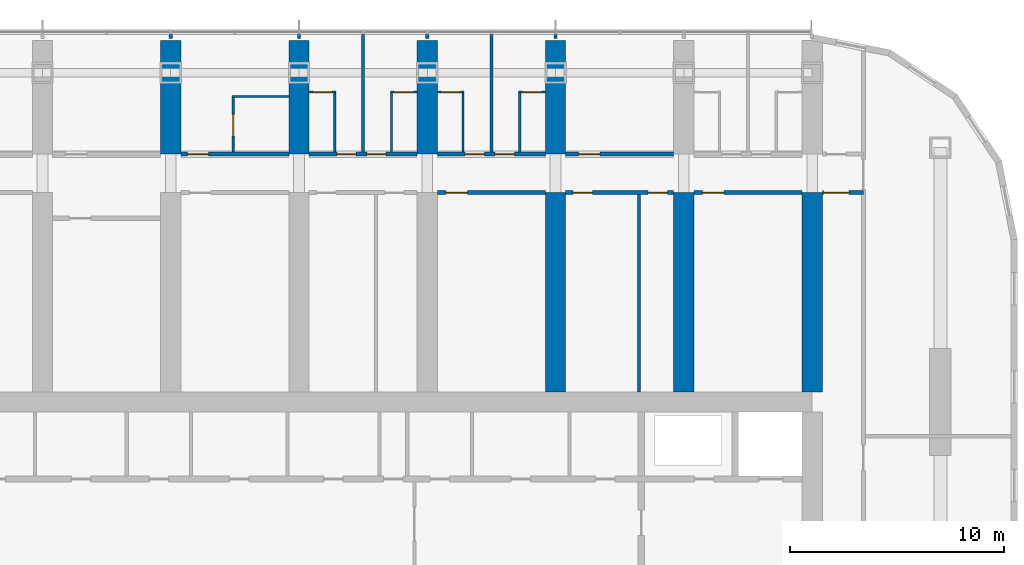
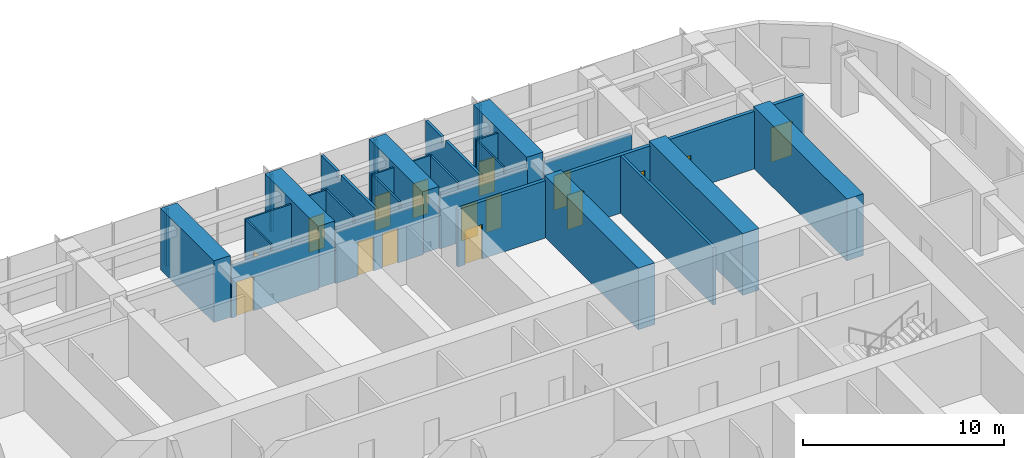
# One storey, part 14 of 21: 32 walls, 16 doors, 16 openings.
"""IFC4 building model written with IfcOpenShell, lengths in metres."""

from ifc_helpers import new_model, si_unit, direction, frame, frame_2d, origin, place, context, subcontext, project, spatial, polyline, rectangle, outline, extrude, material, layer, layer_set, type_object, element, fill, save


model = new_model("IFC4")

# Units and contexts
model_context = context("Model", 3, precision=1e-05, world=origin(), true_north=direction((0.0, 1.0)))
body_context = subcontext(model_context, "Body", "Model", "MODEL_VIEW")
ifc_project = project(units=[si_unit("LENGTHUNIT", "METRE"), si_unit("AREAUNIT", "SQUARE_METRE"), si_unit("VOLUMEUNIT", "CUBIC_METRE"), si_unit("PLANEANGLEUNIT", "RADIAN"), si_unit("MASSUNIT", "GRAM", prefix="KILO")], contexts=[model_context])

# Site, building, storey
site_placement = place(None, origin())
site = spatial("IfcSite", under=ifc_project, at=site_placement, CompositionType="ELEMENT")
building_placement = place(site_placement, origin())
building = spatial("IfcBuilding", under=site, at=building_placement, Name="Orbita Commons", CompositionType="ELEMENT")
storey_placement = place(building_placement, frame((0.0, 0.0, 103.14990234375)))
storey = spatial("IfcBuildingStorey", under=building, at=storey_placement, Name="L25", CompositionType="ELEMENT", Elevation=103.14990234375)

# Wall, opening, door
ifc_material_1 = material(Name="Concrete blockwork", Category="masonry")
ifc_layer_1 = layer(ifc_material_1, 0.199951171875)
ifc_layer_set_1 = layer_set([ifc_layer_1], Name="Concrete blockwork")
wall_type_1 = type_object("IfcWallType", Name="Corridor wall 200 blockwork", PredefinedType="SOLIDWALL", material=ifc_layer_set_1)
wall_1_placement = place(storey_placement, frame((36.47509765625, 49.800048828125, 0.0), z_axis=(0.0, 0.0, 1.0), x_axis=(1.0, 0.0, 0.0)))
wall_1 = element("IfcWall", 1, at=wall_1_placement, inside=storey, type_object=wall_type_1, Name="Corridor wall 200 blockwork L25", PredefinedType="SOLIDWALL", context=body_context, shape_type="SweptSolid", body=[
    extrude(outline(polyline([(0.0, 0.0), (5.0498046875, 0.0), (5.050048828125, 3.10009765625), (0.0, 3.10009765625), (0.0, 0.0)])), frame((0.0, 0.10009765625, 0.0), z_axis=(0.0, -1.0, 0.0), x_axis=(1.0, 0.0, 0.0)), (0.0, 0.0, 1.0), 0.199951171875),
])
opening_1_placement = place(wall_1_placement, frame((0.300048828125, 0.0, 0.0)))
opening_1 = element("IfcOpeningElement", 2, at=opening_1_placement, cuts=wall_1, Name="Opening D06", PredefinedType="OPENING", context=body_context, shape_type="SweptSolid", body=[
    extrude(rectangle(XDim=1.0, YDim=2.10009765625, at=frame_2d((0.5, 1.050048828125))), frame((0.0, 0.10986328125, 0.0), z_axis=(0.0, -1.0, 0.0), x_axis=(1.0, 0.0, 0.0)), (0.0, 0.0, 1.0), 0.219970703125),
])
ifc_material_2 = material(Name="Steel-faced fire door leaf", Category="steel")
door_type_1 = type_object("IfcDoorType", Name="Corridor door 20 min 1000x2100", OperationType="SINGLE_SWING_LEFT", PredefinedType="DOOR", material=ifc_material_2)
door_1_placement = place(opening_1_placement, origin())
door_1 = element("IfcDoor", 3, at=door_1_placement, inside=storey, type_object=door_type_1, Name="Accessible bedroom L25-N08 door", OperationType="SINGLE_SWING_LEFT", OverallHeight=2.10009765625, OverallWidth=1.0, PredefinedType="DOOR", context=body_context, shape_type="SweptSolid", body=[
    extrude(rectangle(XDim=1.0, YDim=2.10009765625, at=frame_2d((0.5, 1.050048828125))), frame((0.0, 0.02490234375, 0.0), z_axis=(0.0, -1.0, 0.0), x_axis=(1.0, 0.0, 0.0)), (0.0, 0.0, 1.0), 0.050048828125),
])
fill(opening_1, door_1)

# Wall, openings, doors
wall_2_placement = place(storey_placement, frame((42.47509765625, 49.800048828125, 0.0), z_axis=(0.0, 0.0, 1.0), x_axis=(1.0, 0.0, 0.0)))
wall_2 = element("IfcWall", 4, at=wall_2_placement, inside=storey, type_object=wall_type_1, Name="Corridor wall 200 blockwork L25", PredefinedType="SOLIDWALL", context=body_context, shape_type="SweptSolid", body=[
    extrude(outline(polyline([(0.0, 0.0), (5.0498046875, 0.0), (5.050048828125, 3.10009765625), (0.0, 3.10009765625), (0.0, 0.0)])), frame((0.0, 0.10009765625, 0.0), z_axis=(0.0, -1.0, 0.0), x_axis=(1.0, 0.0, 0.0)), (0.0, 0.0, 1.0), 0.199951171875),
])
opening_2_placement = place(wall_2_placement, frame((1.300048828125, 0.0, 0.0)))
opening_2 = element("IfcOpeningElement", 5, at=opening_2_placement, cuts=wall_2, Name="Opening D11", PredefinedType="OPENING", context=body_context, shape_type="SweptSolid", body=[
    extrude(rectangle(XDim=0.89990234375, YDim=2.10009765625, at=frame_2d((0.449951171875, 1.050048828125))), frame((0.0, 0.10986328125, 0.0), z_axis=(0.0, -1.0, 0.0), x_axis=(1.0, 0.0, 0.0)), (0.0, 0.0, 1.0), 0.219970703125),
])
opening_3_placement = place(wall_2_placement, frame((2.699951171875, 0.0, 0.0)))
opening_3 = element("IfcOpeningElement", 6, at=opening_3_placement, cuts=wall_2, Name="Opening D11", PredefinedType="OPENING", context=body_context, shape_type="SweptSolid", body=[
    extrude(rectangle(XDim=0.89990234375, YDim=2.10009765625, at=frame_2d((0.449951171875, 1.050048828125))), frame((0.0, 0.10986328125, 0.0), z_axis=(0.0, -1.0, 0.0), x_axis=(1.0, 0.0, 0.0)), (0.0, 0.0, 1.0), 0.219970703125),
])
ifc_material_3 = material(Name="Steel-faced fire door leaf", Category="steel")
door_type_2 = type_object("IfcDoorType", Name="Corridor door 20 min 900x2100", OperationType="SINGLE_SWING_LEFT", PredefinedType="DOOR", material=ifc_material_3)
door_2_placement = place(opening_2_placement, origin())
door_2 = element("IfcDoor", 7, at=door_2_placement, inside=storey, type_object=door_type_2, Name="Cluster bedroom L25-N10 door", OperationType="SINGLE_SWING_LEFT", OverallHeight=2.10009765625, OverallWidth=0.89990234375, PredefinedType="DOOR", context=body_context, shape_type="SweptSolid", body=[
    extrude(rectangle(XDim=0.89990234375, YDim=2.10009765625, at=frame_2d((0.449951171875, 1.050048828125))), frame((0.0, 0.02490234375, 0.0), z_axis=(0.0, -1.0, 0.0), x_axis=(1.0, 0.0, 0.0)), (0.0, 0.0, 1.0), 0.050048828125),
])
fill(opening_2, door_2)
door_3_placement = place(opening_3_placement, origin())
door_3 = element("IfcDoor", 8, at=door_3_placement, inside=storey, type_object=door_type_2, Name="Cluster bedroom L25-N11 door", OperationType="SINGLE_SWING_LEFT", OverallHeight=2.10009765625, OverallWidth=0.89990234375, PredefinedType="DOOR", context=body_context, shape_type="SweptSolid", body=[
    extrude(rectangle(XDim=0.89990234375, YDim=2.10009765625, at=frame_2d((0.449951171875, 1.050048828125))), frame((0.0, 0.02490234375, 0.0), z_axis=(0.0, -1.0, 0.0), x_axis=(1.0, 0.0, 0.0)), (0.0, 0.0, 1.0), 0.050048828125),
])
fill(opening_3, door_3)

wall_3_placement = place(storey_placement, frame((48.47509765625, 49.800048828125, 0.0), z_axis=(0.0, 0.0, 1.0), x_axis=(1.0, 0.0, 0.0)))
wall_3 = element("IfcWall", 9, at=wall_3_placement, inside=storey, type_object=wall_type_1, Name="Corridor wall 200 blockwork L25", PredefinedType="SOLIDWALL", context=body_context, shape_type="SweptSolid", body=[
    extrude(outline(polyline([(0.0, 0.0), (5.0498046875, 0.0), (5.050048828125, 3.10009765625), (0.0, 3.10009765625), (0.0, 0.0)])), frame((0.0, 0.10009765625, 0.0), z_axis=(0.0, -1.0, 0.0), x_axis=(1.0, 0.0, 0.0)), (0.0, 0.0, 1.0), 0.199951171875),
])
opening_4_placement = place(wall_3_placement, frame((1.300048828125, 0.0, 0.0)))
opening_4 = element("IfcOpeningElement", 10, at=opening_4_placement, cuts=wall_3, Name="Opening D11", PredefinedType="OPENING", context=body_context, shape_type="SweptSolid", body=[
    extrude(rectangle(XDim=0.89990234375, YDim=2.10009765625, at=frame_2d((0.449951171875, 1.050048828125))), frame((0.0, 0.10986328125, 0.0), z_axis=(0.0, -1.0, 0.0), x_axis=(1.0, 0.0, 0.0)), (0.0, 0.0, 1.0), 0.219970703125),
])
opening_5_placement = place(wall_3_placement, frame((2.699951171875, 0.0, 0.0)))
opening_5 = element("IfcOpeningElement", 11, at=opening_5_placement, cuts=wall_3, Name="Opening D11", PredefinedType="OPENING", context=body_context, shape_type="SweptSolid", body=[
    extrude(rectangle(XDim=0.89990234375, YDim=2.10009765625, at=frame_2d((0.449951171875, 1.050048828125))), frame((0.0, 0.10986328125, 0.0), z_axis=(0.0, -1.0, 0.0), x_axis=(1.0, 0.0, 0.0)), (0.0, 0.0, 1.0), 0.219970703125),
])
door_4_placement = place(opening_4_placement, origin())
door_4 = element("IfcDoor", 12, at=door_4_placement, inside=storey, type_object=door_type_2, Name="Cluster bedroom L25-N12 door", OperationType="SINGLE_SWING_LEFT", OverallHeight=2.10009765625, OverallWidth=0.89990234375, PredefinedType="DOOR", context=body_context, shape_type="SweptSolid", body=[
    extrude(rectangle(XDim=0.89990234375, YDim=2.10009765625, at=frame_2d((0.449951171875, 1.050048828125))), frame((0.0, 0.02490234375, 0.0), z_axis=(0.0, -1.0, 0.0), x_axis=(1.0, 0.0, 0.0)), (0.0, 0.0, 1.0), 0.050048828125),
])
fill(opening_4, door_4)
door_5_placement = place(opening_5_placement, origin())
door_5 = element("IfcDoor", 13, at=door_5_placement, inside=storey, type_object=door_type_2, Name="Cluster bedroom L25-N13 door", OperationType="SINGLE_SWING_LEFT", OverallHeight=2.10009765625, OverallWidth=0.89990234375, PredefinedType="DOOR", context=body_context, shape_type="SweptSolid", body=[
    extrude(rectangle(XDim=0.89990234375, YDim=2.10009765625, at=frame_2d((0.449951171875, 1.050048828125))), frame((0.0, 0.02490234375, 0.0), z_axis=(0.0, -1.0, 0.0), x_axis=(1.0, 0.0, 0.0)), (0.0, 0.0, 1.0), 0.050048828125),
])
fill(opening_5, door_5)

# Wall, opening, door
wall_4_placement = place(storey_placement, frame((54.47509765625, 49.800048828125, 0.0), z_axis=(0.0, 0.0, 1.0), x_axis=(1.0, 0.0, 0.0)))
wall_4 = element("IfcWall", 14, at=wall_4_placement, inside=storey, type_object=wall_type_1, Name="Corridor wall 200 blockwork L25", PredefinedType="SOLIDWALL", context=body_context, shape_type="SweptSolid", body=[
    extrude(outline(polyline([(0.0, 0.0), (5.0498046875, 0.0), (5.050048828125, 3.10009765625), (0.0, 3.10009765625), (0.0, 0.0)])), frame((0.0, 0.10009765625, 0.0), z_axis=(0.0, -1.0, 0.0), x_axis=(1.0, 0.0, 0.0)), (0.0, 0.0, 1.0), 0.199951171875),
])
opening_6_placement = place(wall_4_placement, frame((0.60009765625, 0.0, 0.0)))
opening_6 = element("IfcOpeningElement", 15, at=opening_6_placement, cuts=wall_4, Name="Opening D06", PredefinedType="OPENING", context=body_context, shape_type="SweptSolid", body=[
    extrude(rectangle(XDim=1.0, YDim=2.10009765625, at=frame_2d((0.5, 1.050048828125))), frame((0.0, 0.10986328125, 0.0), z_axis=(0.0, -1.0, 0.0), x_axis=(1.0, 0.0, 0.0)), (0.0, 0.0, 1.0), 0.219970703125),
])
door_6_placement = place(opening_6_placement, origin())
door_6 = element("IfcDoor", 16, at=door_6_placement, inside=storey, type_object=door_type_1, Name="Cluster kitchen-diner L25-N14 door", OperationType="SINGLE_SWING_LEFT", OverallHeight=2.10009765625, OverallWidth=1.0, PredefinedType="DOOR", context=body_context, shape_type="SweptSolid", body=[
    extrude(rectangle(XDim=1.0, YDim=2.10009765625, at=frame_2d((0.5, 1.050048828125))), frame((0.0, 0.02490234375, 0.0), z_axis=(0.0, -1.0, 0.0), x_axis=(1.0, 0.0, 0.0)), (0.0, 0.0, 1.0), 0.050048828125),
])
fill(opening_6, door_6)

ifc_material_4 = material(Name="Hollow concrete block 200", Category="concrete")
ifc_layer_2 = layer(ifc_material_4, 0.199951171875)
ifc_layer_set_2 = layer_set([ifc_layer_2], Name="Hollow concrete block 200")
wall_type_2 = type_object("IfcWallType", Name="Corridor wall 200 hollow concrete block", PredefinedType="SOLIDWALL", material=ifc_layer_set_2)
wall_5_placement = place(storey_placement, frame((48.47509765625, 48.0, 0.0), z_axis=(0.0, 0.0, 1.0), x_axis=(1.0, 0.0, 0.0)))
wall_5 = element("IfcWall", 17, at=wall_5_placement, inside=storey, type_object=wall_type_2, Name="Corridor wall 200 hollow concrete block L25", PredefinedType="SOLIDWALL", context=body_context, shape_type="SweptSolid", body=[
    extrude(rectangle(XDim=5.0498046875, YDim=0.199951171875, at=frame_2d((2.52490234375, 0.0))), origin(), (0.0, 0.0, 1.0), 3.5),
])
opening_7_placement = place(wall_5_placement, frame((0.39990234375, 0.0, 0.0)))
opening_7 = element("IfcOpeningElement", 18, at=opening_7_placement, cuts=wall_5, Name="Opening D06", PredefinedType="OPENING", context=body_context, shape_type="SweptSolid", body=[
    extrude(rectangle(XDim=1.0, YDim=2.10009765625, at=frame_2d((0.5, 1.050048828125))), frame((0.0, 0.10986328125, 0.0), z_axis=(0.0, -1.0, 0.0), x_axis=(1.0, 0.0, 0.0)), (0.0, 0.0, 1.0), 0.219970703125),
])
door_7_placement = place(opening_7_placement, origin())
door_7 = element("IfcDoor", 19, at=door_7_placement, inside=storey, type_object=door_type_1, Name="Linen store L25-BDN48 door", OperationType="SINGLE_SWING_LEFT", OverallHeight=2.10009765625, OverallWidth=1.0, PredefinedType="DOOR", context=body_context, shape_type="SweptSolid", body=[
    extrude(rectangle(XDim=1.0, YDim=2.10009765625, at=frame_2d((0.5, 1.050048828125))), frame((0.0, 0.02490234375, 0.0), z_axis=(0.0, -1.0, 0.0), x_axis=(1.0, 0.0, 0.0)), (0.0, 0.0, 1.0), 0.050048828125),
])
fill(opening_7, door_7)

# Wall, openings, doors
wall_6_placement = place(storey_placement, frame((54.47509765625, 48.0, 0.0), z_axis=(0.0, 0.0, 1.0), x_axis=(1.0, 0.0, 0.0)))
wall_6 = element("IfcWall", 20, at=wall_6_placement, inside=storey, type_object=wall_type_2, Name="Corridor wall 200 hollow concrete block L25", PredefinedType="SOLIDWALL", context=body_context, shape_type="SweptSolid", body=[
    extrude(rectangle(XDim=5.0498046875, YDim=0.199951171875, at=frame_2d((2.52490234375, 0.0))), origin(), (0.0, 0.0, 1.0), 3.5),
])
opening_8_placement = place(wall_6_placement, frame((0.35009765625, 0.0, 0.0)))
opening_8 = element("IfcOpeningElement", 21, at=opening_8_placement, cuts=wall_6, Name="Opening D11", PredefinedType="OPENING", context=body_context, shape_type="SweptSolid", body=[
    extrude(rectangle(XDim=0.89990234375, YDim=2.10009765625, at=frame_2d((0.449951171875, 1.050048828125))), frame((0.0, 0.10986328125, 0.0), z_axis=(0.0, -1.0, 0.0), x_axis=(1.0, 0.0, 0.0)), (0.0, 0.0, 1.0), 0.219970703125),
])
opening_9_placement = place(wall_6_placement, frame((3.85498046875, 0.0, 0.0)))
opening_9 = element("IfcOpeningElement", 22, at=opening_9_placement, cuts=wall_6, Name="Opening D11", PredefinedType="OPENING", context=body_context, shape_type="SweptSolid", body=[
    extrude(rectangle(XDim=0.89990234375, YDim=2.10009765625, at=frame_2d((0.449951171875, 1.050048828125))), frame((0.0, 0.10986328125, 0.0), z_axis=(0.0, -1.0, 0.0), x_axis=(1.0, 0.0, 0.0)), (0.0, 0.0, 1.0), 0.219970703125),
])
door_8_placement = place(opening_8_placement, origin())
door_8 = element("IfcDoor", 23, at=door_8_placement, inside=storey, type_object=door_type_2, Name="Cluster pantry L25-BDN54 door", OperationType="SINGLE_SWING_LEFT", OverallHeight=2.10009765625, OverallWidth=0.89990234375, PredefinedType="DOOR", context=body_context, shape_type="SweptSolid", body=[
    extrude(rectangle(XDim=0.89990234375, YDim=2.10009765625, at=frame_2d((0.449951171875, 1.050048828125))), frame((0.0, 0.02490234375, 0.0), z_axis=(0.0, -1.0, 0.0), x_axis=(1.0, 0.0, 0.0)), (0.0, 0.0, 1.0), 0.050048828125),
])
fill(opening_8, door_8)
door_9_placement = place(opening_9_placement, origin())
door_9 = element("IfcDoor", 24, at=door_9_placement, inside=storey, type_object=door_type_2, Name="Riser access cupboard L25-BDN54n door", OperationType="SINGLE_SWING_LEFT", OverallHeight=2.10009765625, OverallWidth=0.89990234375, PredefinedType="DOOR", context=body_context, shape_type="SweptSolid", body=[
    extrude(rectangle(XDim=0.89990234375, YDim=2.10009765625, at=frame_2d((0.449951171875, 1.050048828125))), frame((0.0, 0.02490234375, 0.0), z_axis=(0.0, -1.0, 0.0), x_axis=(1.0, 0.0, 0.0)), (0.0, 0.0, 1.0), 0.050048828125),
])
fill(opening_9, door_9)

# Wall, opening, door
wall_7_placement = place(storey_placement, frame((60.47509765625, 48.0, 0.0), z_axis=(0.0, 0.0, 1.0), x_axis=(1.0, 0.0, 0.0)))
wall_7 = element("IfcWall", 25, at=wall_7_placement, inside=storey, type_object=wall_type_2, Name="Corridor wall 200 hollow concrete block L25", PredefinedType="SOLIDWALL", context=body_context, shape_type="SweptSolid", body=[
    extrude(rectangle(XDim=5.0498046875, YDim=0.199951171875, at=frame_2d((2.52490234375, 0.0))), origin(), (0.0, 0.0, 1.0), 3.5),
])
opening_10_placement = place(wall_7_placement, frame((0.39990234375, 0.0, 0.0)))
opening_10 = element("IfcOpeningElement", 26, at=opening_10_placement, cuts=wall_7, Name="Opening D06", PredefinedType="OPENING", context=body_context, shape_type="SweptSolid", body=[
    extrude(rectangle(XDim=1.0, YDim=2.10009765625, at=frame_2d((0.5, 1.050048828125))), frame((0.0, 0.10986328125, 0.0), z_axis=(0.0, -1.0, 0.0), x_axis=(1.0, 0.0, 0.0)), (0.0, 0.0, 1.0), 0.219970703125),
])
door_10_placement = place(opening_10_placement, origin())
door_10 = element("IfcDoor", 27, at=door_10_placement, inside=storey, type_object=door_type_1, Name="Store L25-BDN60 door", OperationType="SINGLE_SWING_LEFT", OverallHeight=2.10009765625, OverallWidth=1.0, PredefinedType="DOOR", context=body_context, shape_type="SweptSolid", body=[
    extrude(rectangle(XDim=1.0, YDim=2.10009765625, at=frame_2d((0.5, 1.050048828125))), frame((0.0, 0.02490234375, 0.0), z_axis=(0.0, -1.0, 0.0), x_axis=(1.0, 0.0, 0.0)), (0.0, 0.0, 1.0), 0.050048828125),
])
fill(opening_10, door_10)

wall_8_placement = place(storey_placement, frame((66.47509765625, 48.0, 0.0), z_axis=(0.0, 0.0, 1.0), x_axis=(1.0, 0.0, 0.0)))
wall_8 = element("IfcWall", 28, at=wall_8_placement, inside=storey, type_object=wall_type_2, Name="Corridor wall 200 hollow concrete block L25", PredefinedType="SOLIDWALL", context=body_context, shape_type="SweptSolid", body=[
    extrude(rectangle(XDim=1.9248046875, YDim=0.199951171875, at=frame_2d((0.96240234375, 0.0))), origin(), (0.0, 0.0, 1.0), 3.5),
])
opening_11_placement = place(wall_8_placement, frame((0.050048828125, 0.0, 0.0)))
opening_11 = element("IfcOpeningElement", 29, at=opening_11_placement, cuts=wall_8, Name="Opening D12", PredefinedType="OPENING", context=body_context, shape_type="SweptSolid", body=[
    extrude(rectangle(XDim=1.199951171875, YDim=2.10009765625, at=frame_2d((0.60009765625, 1.050048828125))), frame((0.0, 0.10986328125, 0.0), z_axis=(0.0, -1.0, 0.0), x_axis=(1.0, 0.0, 0.0)), (0.0, 0.0, 1.0), 0.219970703125),
])
ifc_material_5 = material(Name="Steel-faced fire door leaf", Category="steel")
door_type_3 = type_object("IfcDoorType", Name="Double corridor door 20 min 1200x2100", OperationType="DOUBLE_DOOR_SINGLE_SWING", PredefinedType="DOOR", material=ifc_material_5)
door_11_placement = place(opening_11_placement, origin())
door_11 = element("IfcDoor", 30, at=door_11_placement, inside=storey, type_object=door_type_3, Name="Cross corridor doors", OperationType="DOUBLE_DOOR_SINGLE_SWING", OverallHeight=2.10009765625, OverallWidth=1.199951171875, PredefinedType="DOOR", context=body_context, shape_type="SweptSolid", body=[
    extrude(rectangle(XDim=1.199951171875, YDim=2.10009765625, at=frame_2d((0.60009765625, 1.050048828125))), frame((0.0, 0.02490234375, 0.0), z_axis=(0.0, -1.0, 0.0), x_axis=(1.0, 0.0, 0.0)), (0.0, 0.0, 1.0), 0.050048828125),
])
fill(opening_11, door_11)

# Walls
ifc_material_6 = material(Name="Concrete C50/60", Category="concrete")
ifc_layer_3 = layer(ifc_material_6, 0.949951171875)
ifc_layer_set_3 = layer_set([ifc_layer_3], Name="Concrete C50/60")
wall_type_3 = type_object("IfcWallType", Name="Cross wall 950 C50/60", PredefinedType="SHEAR", material=ifc_layer_set_3)
for number, where, z_axis, x_axis, name in (
    (31, (36.0, 49.800048828125, 0.0), (0.0, 0.0, 1.0), (0.0, 1.0, 0.0), "Cross wall 7 north outer L25"),
    (32, (42.0, 49.800048828125, 0.0), (0.0, 0.0, 1.0), (0.0, 1.0, 0.0), "Cross wall 8 north outer L25"),
    (33, (48.0, 49.800048828125, 0.0), (0.0, 0.0, 1.0), (0.0, 1.0, 0.0), "Cross wall 9 north outer L25"),
    (34, (54.0, 49.800048828125, 0.0), (0.0, 0.0, 1.0), (0.0, 1.0, 0.0), "Cross wall 10 north outer L25"),
):
    element("IfcWall", number, at=place(storey_placement, frame(where, z_axis=z_axis, x_axis=x_axis)), inside=storey, type_object=wall_type_3, Name=name, PredefinedType="SHEAR", context=body_context, shape_type="SweptSolid", body=[
        extrude(rectangle(XDim=5.300048828125, YDim=0.949951171875, at=frame_2d((2.64990234375, 0.0))), origin(), (0.0, 0.0, 1.0), 3.75),
    ])
for number, where, z_axis, x_axis, name in (
    (35, (54.0, 38.675048828125, 0.0), (0.0, 0.0, 1.0), (0.0, 1.0, 0.0), "Cross wall 10 north inner L25"),
    (36, (60.0, 38.675048828125, 0.0), (0.0, 0.0, 1.0), (0.0, 1.0, 0.0), "Cross wall 11 north inner L25"),
    (37, (66.0, 38.675048828125, 0.0), (0.0, 0.0, 1.0), (0.0, 1.0, 0.0), "Cross wall 12 north inner L25"),
):
    element("IfcWall", number, at=place(storey_placement, frame(where, z_axis=z_axis, x_axis=x_axis)), inside=storey, type_object=wall_type_3, Name=name, PredefinedType="SHEAR", context=body_context, shape_type="SweptSolid", body=[
        extrude(rectangle(XDim=9.324951171875, YDim=0.949951171875, at=frame_2d((4.66259765625, 0.0))), origin(), (0.0, 0.0, 1.0), 3.75),
    ])
ifc_material_7 = material(Name="Moisture-resistant plasterboard on steel studs", Category="steel")
ifc_layer_4 = layer(ifc_material_7, 0.10009765625)
ifc_layer_set_4 = layer_set([ifc_layer_4], Name="Moisture-resistant plasterboard on steel studs")
wall_type_4 = type_object("IfcWallType", Name="En-suite partition 100", PredefinedType="PARTITIONING", material=ifc_layer_set_4)
wall_9_placement = place(storey_placement, frame((38.875, 52.5, 0.0), z_axis=(0.0, 0.0, 1.0), x_axis=(1.0, 0.0, 0.0)))
element("IfcWall", 38, at=wall_9_placement, inside=storey, type_object=wall_type_4, Name="En-suite partition 100 L25", PredefinedType="PARTITIONING", context=body_context, shape_type="SweptSolid", body=[
    extrude(rectangle(XDim=2.64990234375, YDim=0.10009765625, at=frame_2d((1.324951171875, 0.0))), origin(), (0.0, 0.0, 1.0), 3.5),
])

# Wall, opening, door
wall_10_placement = place(storey_placement, frame((38.925048828125, 52.449951171875, 0.0), z_axis=(0.0, 0.0, 1.0), x_axis=(0.0, -1.0, 0.0)))
wall_10 = element("IfcWall", 39, at=wall_10_placement, inside=storey, type_object=wall_type_4, Name="En-suite partition 100 L25", PredefinedType="PARTITIONING", context=body_context, shape_type="SweptSolid", body=[
    extrude(outline(polyline([(0.0, 0.0), (2.550048828125, 0.0), (2.550048828125, 3.10009765625), (2.501953125, 3.10009765625), (2.5, 3.5), (0.0, 3.5), (0.0, 0.0)])), frame((0.0, 0.050048828125, 0.0), z_axis=(0.0, -1.0, 0.0), x_axis=(1.0, 0.0, 0.0)), (0.0, 0.0, 1.0), 0.10009765625),
])
opening_12_placement = place(wall_10_placement, frame((0.800048828125, 0.0, 0.0)))
opening_12 = element("IfcOpeningElement", 40, at=opening_12_placement, cuts=wall_10, Name="Opening D13", PredefinedType="OPENING", context=body_context, shape_type="SweptSolid", body=[
    extrude(rectangle(XDim=1.0, YDim=2.10009765625, at=frame_2d((0.5, 1.050048828125))), frame((0.0, 0.06005859375, 0.0), z_axis=(0.0, -1.0, 0.0), x_axis=(1.0, 0.0, 0.0)), (0.0, 0.0, 1.0), 0.1201171875),
])
ifc_material_8 = material(Name="Laminated timber door leaf", Category="wood")
door_type_4 = type_object("IfcDoorType", Name="En-suite door 1000x2100", OperationType="SINGLE_SWING_RIGHT", PredefinedType="DOOR", material=ifc_material_8)
door_12_placement = place(opening_12_placement, origin())
door_12 = element("IfcDoor", 41, at=door_12_placement, inside=storey, type_object=door_type_4, Name="Accessible shower room L25-N08 door", OperationType="SINGLE_SWING_RIGHT", OverallHeight=2.10009765625, OverallWidth=1.0, PredefinedType="DOOR", context=body_context, shape_type="SweptSolid", body=[
    extrude(rectangle(XDim=1.0, YDim=2.10009765625, at=frame_2d((0.5, 1.050048828125))), frame((0.0, 0.02490234375, 0.0), z_axis=(0.0, -1.0, 0.0), x_axis=(1.0, 0.0, 0.0)), (0.0, 0.0, 1.0), 0.050048828125),
])
fill(opening_12, door_12)

wall_11_placement = place(storey_placement, frame((42.47509765625, 52.699951171875, 0.0), z_axis=(0.0, 0.0, 1.0), x_axis=(1.0, 0.0, 0.0)))
wall_11 = element("IfcWall", 42, at=wall_11_placement, inside=storey, type_object=wall_type_4, Name="En-suite partition 100 L25", PredefinedType="PARTITIONING", context=body_context, shape_type="SweptSolid", body=[
    extrude(rectangle(XDim=1.25, YDim=0.10009765625, at=frame_2d((0.625, 0.0))), origin(), (0.0, 0.0, 1.0), 3.5),
])
opening_13_placement = place(wall_11_placement, frame((0.175048828125, 0.0, 0.0)))
opening_13 = element("IfcOpeningElement", 43, at=opening_13_placement, cuts=wall_11, Name="Opening D09", PredefinedType="OPENING", context=body_context, shape_type="SweptSolid", body=[
    extrude(rectangle(XDim=0.89990234375, YDim=2.10009765625, at=frame_2d((0.449951171875, 1.050048828125))), frame((0.0, 0.06005859375, 0.0), z_axis=(0.0, -1.0, 0.0), x_axis=(1.0, 0.0, 0.0)), (0.0, 0.0, 1.0), 0.1201171875),
])
ifc_material_9 = material(Name="Laminated timber door leaf", Category="wood")
door_type_5 = type_object("IfcDoorType", Name="En-suite door 900x2100", OperationType="SINGLE_SWING_RIGHT", PredefinedType="DOOR", material=ifc_material_9)
door_13_placement = place(opening_13_placement, origin())
door_13 = element("IfcDoor", 44, at=door_13_placement, inside=storey, type_object=door_type_5, Name="En-suite L25-N10 door", OperationType="SINGLE_SWING_RIGHT", OverallHeight=2.10009765625, OverallWidth=0.89990234375, PredefinedType="DOOR", context=body_context, shape_type="SweptSolid", body=[
    extrude(rectangle(XDim=0.89990234375, YDim=2.10009765625, at=frame_2d((0.449951171875, 1.050048828125))), frame((0.0, 0.02490234375, 0.0), z_axis=(0.0, -1.0, 0.0), x_axis=(1.0, 0.0, 0.0)), (0.0, 0.0, 1.0), 0.050048828125),
])
fill(opening_13, door_13)

# Wall
wall_12_placement = place(storey_placement, frame((43.675048828125, 52.64990234375, 0.0), z_axis=(0.0, 0.0, 1.0), x_axis=(0.0, -1.0, 0.0)))
element("IfcWall", 45, at=wall_12_placement, inside=storey, type_object=wall_type_4, Name="En-suite partition 100 L25", PredefinedType="PARTITIONING", context=body_context, shape_type="SweptSolid", body=[
    extrude(outline(polyline([(0.0, 0.0), (2.75, 0.0), (2.75, 3.10009765625), (2.701904296875, 3.10009765625), (2.699951171875, 3.5), (0.0, 3.5), (0.0, 0.0)])), frame((0.0, 0.050048828125, 0.0), z_axis=(0.0, -1.0, 0.0), x_axis=(1.0, 0.0, 0.0)), (0.0, 0.0, 1.0), 0.10009765625),
])

# Wall, opening, door
wall_13_placement = place(storey_placement, frame((46.27490234375, 52.699951171875, 0.0), z_axis=(0.0, 0.0, 1.0), x_axis=(1.0, 0.0, 0.0)))
wall_13 = element("IfcWall", 46, at=wall_13_placement, inside=storey, type_object=wall_type_4, Name="En-suite partition 100 L25", PredefinedType="PARTITIONING", context=body_context, shape_type="SweptSolid", body=[
    extrude(rectangle(XDim=1.25, YDim=0.10009765625, at=frame_2d((0.625, 0.0))), origin(), (0.0, 0.0, 1.0), 3.5),
])
opening_14_placement = place(wall_13_placement, frame((0.175048828125, 0.0, 0.0)))
opening_14 = element("IfcOpeningElement", 47, at=opening_14_placement, cuts=wall_13, Name="Opening D09", PredefinedType="OPENING", context=body_context, shape_type="SweptSolid", body=[
    extrude(rectangle(XDim=0.89990234375, YDim=2.10009765625, at=frame_2d((0.449951171875, 1.050048828125))), frame((0.0, 0.06005859375, 0.0), z_axis=(0.0, -1.0, 0.0), x_axis=(1.0, 0.0, 0.0)), (0.0, 0.0, 1.0), 0.1201171875),
])
door_14_placement = place(opening_14_placement, origin())
door_14 = element("IfcDoor", 48, at=door_14_placement, inside=storey, type_object=door_type_5, Name="En-suite L25-N11 door", OperationType="SINGLE_SWING_RIGHT", OverallHeight=2.10009765625, OverallWidth=0.89990234375, PredefinedType="DOOR", context=body_context, shape_type="SweptSolid", body=[
    extrude(rectangle(XDim=0.89990234375, YDim=2.10009765625, at=frame_2d((0.449951171875, 1.050048828125))), frame((0.0, 0.02490234375, 0.0), z_axis=(0.0, -1.0, 0.0), x_axis=(1.0, 0.0, 0.0)), (0.0, 0.0, 1.0), 0.050048828125),
])
fill(opening_14, door_14)

# Wall
wall_14_placement = place(storey_placement, frame((46.324951171875, 52.64990234375, 0.0), z_axis=(0.0, 0.0, 1.0), x_axis=(0.0, -1.0, 0.0)))
element("IfcWall", 49, at=wall_14_placement, inside=storey, type_object=wall_type_4, Name="En-suite partition 100 L25", PredefinedType="PARTITIONING", context=body_context, shape_type="SweptSolid", body=[
    extrude(outline(polyline([(0.0, 0.0), (2.75, 0.0), (2.75, 3.10009765625), (2.701904296875, 3.10009765625), (2.699951171875, 3.5), (0.0, 3.5), (0.0, 0.0)])), frame((0.0, 0.050048828125, 0.0), z_axis=(0.0, -1.0, 0.0), x_axis=(1.0, 0.0, 0.0)), (0.0, 0.0, 1.0), 0.10009765625),
])

# Wall, opening, door
wall_15_placement = place(storey_placement, frame((48.47509765625, 52.699951171875, 0.0), z_axis=(0.0, 0.0, 1.0), x_axis=(1.0, 0.0, 0.0)))
wall_15 = element("IfcWall", 50, at=wall_15_placement, inside=storey, type_object=wall_type_4, Name="En-suite partition 100 L25", PredefinedType="PARTITIONING", context=body_context, shape_type="SweptSolid", body=[
    extrude(rectangle(XDim=1.25, YDim=0.10009765625, at=frame_2d((0.625, 0.0))), origin(), (0.0, 0.0, 1.0), 3.5),
])
opening_15_placement = place(wall_15_placement, frame((0.175048828125, 0.0, 0.0)))
opening_15 = element("IfcOpeningElement", 51, at=opening_15_placement, cuts=wall_15, Name="Opening D09", PredefinedType="OPENING", context=body_context, shape_type="SweptSolid", body=[
    extrude(rectangle(XDim=0.89990234375, YDim=2.10009765625, at=frame_2d((0.449951171875, 1.050048828125))), frame((0.0, 0.06005859375, 0.0), z_axis=(0.0, -1.0, 0.0), x_axis=(1.0, 0.0, 0.0)), (0.0, 0.0, 1.0), 0.1201171875),
])
door_15_placement = place(opening_15_placement, origin())
door_15 = element("IfcDoor", 52, at=door_15_placement, inside=storey, type_object=door_type_5, Name="En-suite L25-N12 door", OperationType="SINGLE_SWING_RIGHT", OverallHeight=2.10009765625, OverallWidth=0.89990234375, PredefinedType="DOOR", context=body_context, shape_type="SweptSolid", body=[
    extrude(rectangle(XDim=0.89990234375, YDim=2.10009765625, at=frame_2d((0.449951171875, 1.050048828125))), frame((0.0, 0.02490234375, 0.0), z_axis=(0.0, -1.0, 0.0), x_axis=(1.0, 0.0, 0.0)), (0.0, 0.0, 1.0), 0.050048828125),
])
fill(opening_15, door_15)

# Wall
wall_16_placement = place(storey_placement, frame((49.675048828125, 52.64990234375, 0.0), z_axis=(0.0, 0.0, 1.0), x_axis=(0.0, -1.0, 0.0)))
element("IfcWall", 53, at=wall_16_placement, inside=storey, type_object=wall_type_4, Name="En-suite partition 100 L25", PredefinedType="PARTITIONING", context=body_context, shape_type="SweptSolid", body=[
    extrude(outline(polyline([(0.0, 0.0), (2.75, 0.0), (2.75, 3.10009765625), (2.701904296875, 3.10009765625), (2.699951171875, 3.5), (0.0, 3.5), (0.0, 0.0)])), frame((0.0, 0.050048828125, 0.0), z_axis=(0.0, -1.0, 0.0), x_axis=(1.0, 0.0, 0.0)), (0.0, 0.0, 1.0), 0.10009765625),
])

# Wall, opening, door
wall_17_placement = place(storey_placement, frame((52.27490234375, 52.699951171875, 0.0), z_axis=(0.0, 0.0, 1.0), x_axis=(1.0, 0.0, 0.0)))
wall_17 = element("IfcWall", 54, at=wall_17_placement, inside=storey, type_object=wall_type_4, Name="En-suite partition 100 L25", PredefinedType="PARTITIONING", context=body_context, shape_type="SweptSolid", body=[
    extrude(rectangle(XDim=1.25, YDim=0.10009765625, at=frame_2d((0.625, 0.0))), origin(), (0.0, 0.0, 1.0), 3.5),
])
opening_16_placement = place(wall_17_placement, frame((0.175048828125, 0.0, 0.0)))
opening_16 = element("IfcOpeningElement", 55, at=opening_16_placement, cuts=wall_17, Name="Opening D09", PredefinedType="OPENING", context=body_context, shape_type="SweptSolid", body=[
    extrude(rectangle(XDim=0.89990234375, YDim=2.10009765625, at=frame_2d((0.449951171875, 1.050048828125))), frame((0.0, 0.06005859375, 0.0), z_axis=(0.0, -1.0, 0.0), x_axis=(1.0, 0.0, 0.0)), (0.0, 0.0, 1.0), 0.1201171875),
])
door_16_placement = place(opening_16_placement, origin())
door_16 = element("IfcDoor", 56, at=door_16_placement, inside=storey, type_object=door_type_5, Name="En-suite L25-N13 door", OperationType="SINGLE_SWING_RIGHT", OverallHeight=2.10009765625, OverallWidth=0.89990234375, PredefinedType="DOOR", context=body_context, shape_type="SweptSolid", body=[
    extrude(rectangle(XDim=0.89990234375, YDim=2.10009765625, at=frame_2d((0.449951171875, 1.050048828125))), frame((0.0, 0.02490234375, 0.0), z_axis=(0.0, -1.0, 0.0), x_axis=(1.0, 0.0, 0.0)), (0.0, 0.0, 1.0), 0.050048828125),
])
fill(opening_16, door_16)

# Walls
wall_18_placement = place(storey_placement, frame((52.324951171875, 52.64990234375, 0.0), z_axis=(0.0, 0.0, 1.0), x_axis=(0.0, -1.0, 0.0)))
element("IfcWall", 57, at=wall_18_placement, inside=storey, type_object=wall_type_4, Name="En-suite partition 100 L25", PredefinedType="PARTITIONING", context=body_context, shape_type="SweptSolid", body=[
    extrude(outline(polyline([(0.0, 0.0), (2.75, 0.0), (2.75, 3.10009765625), (2.701904296875, 3.10009765625), (2.699951171875, 3.5), (0.0, 3.5), (0.0, 0.0)])), frame((0.0, 0.050048828125, 0.0), z_axis=(0.0, -1.0, 0.0), x_axis=(1.0, 0.0, 0.0)), (0.0, 0.0, 1.0), 0.10009765625),
])
ifc_material_10 = material(Name="Gypsum plasterboard on steel studs", Category="steel")
ifc_layer_5 = layer(ifc_material_10, 0.14990234375)
ifc_layer_set_5 = layer_set([ifc_layer_5], Name="Gypsum plasterboard on steel studs")
wall_type_5 = type_object("IfcWallType", Name="Partition 150 plasterboard", PredefinedType="PARTITIONING", material=ifc_layer_set_5)
wall_19_placement = place(storey_placement, frame((57.905029296875, 38.675048828125, 0.0), z_axis=(0.0, 0.0, 1.0), x_axis=(0.0, 1.0, 0.0)))
element("IfcWall", 58, at=wall_19_placement, inside=storey, type_object=wall_type_5, Name="Partition 150 plasterboard L25", PredefinedType="PARTITIONING", context=body_context, shape_type="SweptSolid", body=[
    extrude(rectangle(XDim=9.224853515625, YDim=0.14990234375, at=frame_2d((4.6123046875, 0.0))), origin(), (0.0, 0.0, 1.0), 3.5),
])
for number, where, z_axis, x_axis, name in (
    (59, (36.0, 55.199951171875, 0.0), (0.0, 0.0, 1.0), (0.0, 1.0, 0.0), "Partition 150 plasterboard L25"),
    (60, (42.0, 55.199951171875, 0.0), (0.0, 0.0, 1.0), (0.0, 1.0, 0.0), "Partition 150 plasterboard L25"),
    (61, (48.0, 55.199951171875, 0.0), (0.0, 0.0, 1.0), (0.0, 1.0, 0.0), "Partition 150 plasterboard L25"),
    (62, (54.0, 55.199951171875, 0.0), (0.0, 0.0, 1.0), (0.0, 1.0, 0.0), "Partition 150 plasterboard L25"),
):
    element("IfcWall", number, at=place(storey_placement, frame(where, z_axis=z_axis, x_axis=x_axis)), inside=storey, type_object=wall_type_5, Name=name, PredefinedType="PARTITIONING", context=body_context, shape_type="SweptSolid", body=[
        extrude(rectangle(XDim=0.18994140625, YDim=0.14990234375, at=frame_2d((0.094970703125, 0.0))), origin(), (0.0, 0.0, 1.0), 3.5),
    ])
ifc_material_11 = material(Name="Gypsum plasterboard on steel studs", Category="steel")
ifc_layer_6 = layer(ifc_material_11, 0.14990234375)
ifc_layer_set_6 = layer_set([ifc_layer_6], Name="Gypsum plasterboard on steel studs")
wall_type_6 = type_object("IfcWallType", Name="Party wall 150 plasterboard", PredefinedType="PARTITIONING", material=ifc_layer_set_6)
for number, where, z_axis, x_axis, name in (
    (63, (45.0, 55.389892578125, 0.0), (0.0, 0.0, 1.0), (0.0, -1.0, 0.0), "Party wall 150 plasterboard L25"),
    (64, (51.0, 55.389892578125, 0.0), (0.0, 0.0, 1.0), (0.0, -1.0, 0.0), "Party wall 150 plasterboard L25"),
):
    element("IfcWall", number, at=place(storey_placement, frame(where, z_axis=z_axis, x_axis=x_axis)), inside=storey, type_object=wall_type_6, Name=name, PredefinedType="PARTITIONING", context=body_context, shape_type="SweptSolid", body=[
        extrude(outline(polyline([(0.0, 0.0), (5.489990234375, 0.0), (5.489990234375, 3.10009765625), (5.44189453125, 3.10009765625), (5.43994140625, 3.5), (1.991943359375, 3.5), (1.989990234375, 3.10009765625), (1.592041015625, 3.10009765625), (1.590087890625, 3.5), (0.0, 3.5), (0.0, 0.0)])), frame((0.0, 0.074951171875, 0.0), z_axis=(0.0, -1.0, 0.0), x_axis=(1.0, 0.0, 0.0)), (0.0, 0.0, 1.0), 0.14990234375),
    ])

save(model, "model.ifc")
